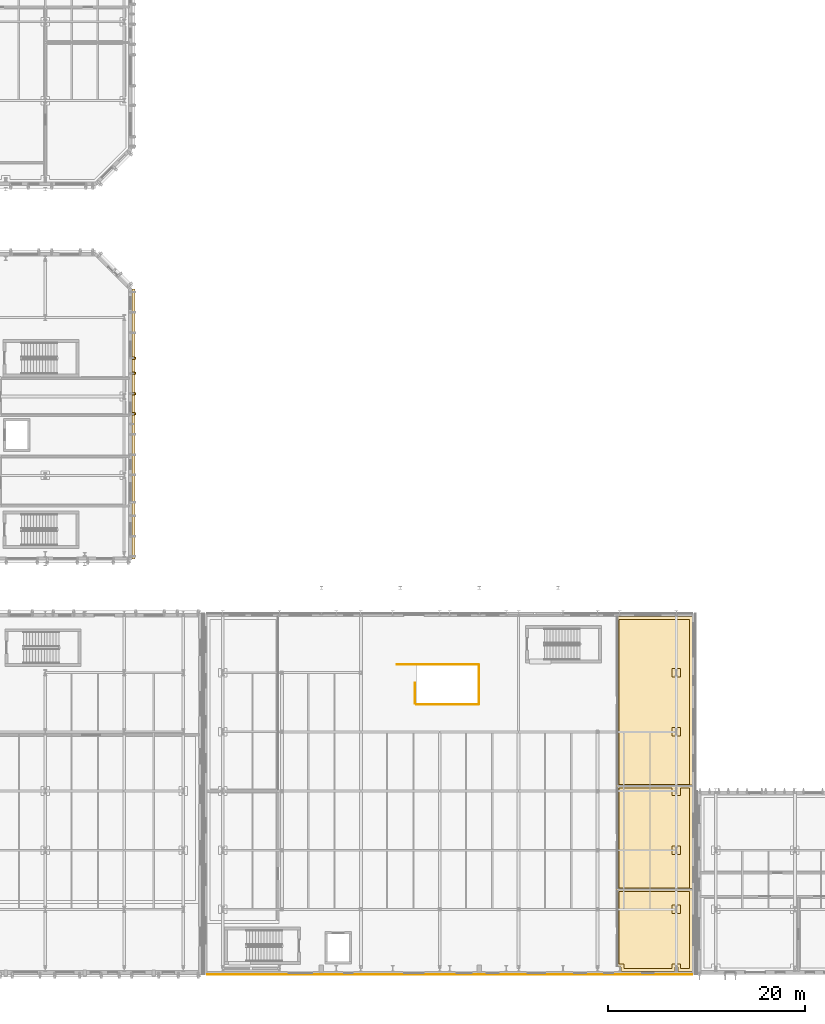
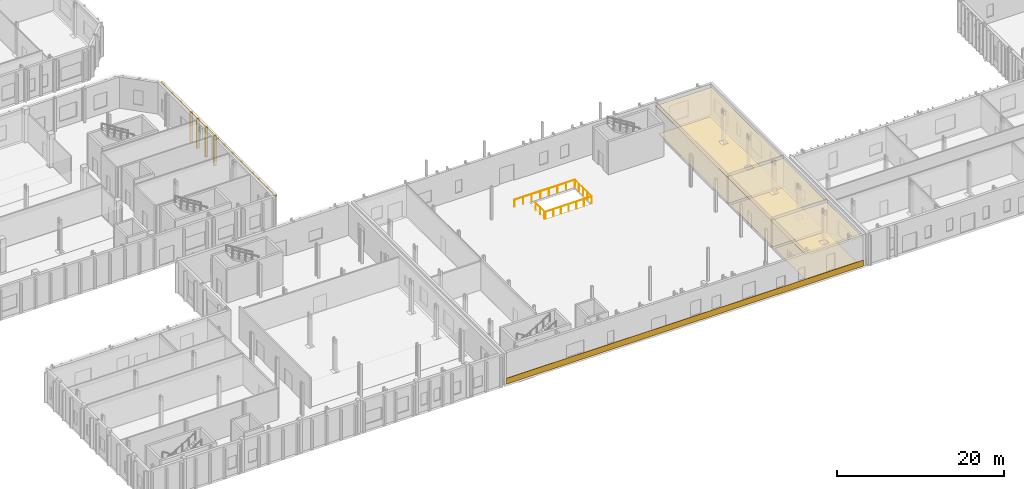
# One storey, part 49 of 60: 12 coverings, 4 railings.
"""IFC4 building model written with IfcOpenShell, lengths in metres."""

from ifc_helpers import new_model, si_unit, direction, frame, frame_2d, origin, origin_2d, place, context, subcontext, project, spatial, polyline, rectangle, circle, outline, extrude, material, layer, layer_set, type_object, element, save


model = new_model("IFC4")

# Units and contexts
model_context = context("Model", 3, precision=1e-05, world=origin(), true_north=direction((0.0, 1.0)))
body_context = subcontext(model_context, "Body", "Model", "MODEL_VIEW")
ifc_project = project(units=[si_unit("LENGTHUNIT", "METRE"), si_unit("AREAUNIT", "SQUARE_METRE"), si_unit("VOLUMEUNIT", "CUBIC_METRE"), si_unit("PLANEANGLEUNIT", "RADIAN"), si_unit("MASSUNIT", "GRAM", prefix="KILO")], contexts=[model_context])

# Site, building, storey
site_placement = place(None, origin())
site = spatial("IfcSite", under=ifc_project, at=site_placement, CompositionType="ELEMENT")
building_placement = place(site_placement, origin())
building = spatial("IfcBuilding", under=site, at=building_placement, Name="Cymarion Research Institute", CompositionType="ELEMENT")
storey_placement = place(building_placement, origin())
storey = spatial("IfcBuildingStorey", under=building, at=storey_placement, Name="L00", CompositionType="ELEMENT", Elevation=0.0)

# Coverings
ifc_material_1 = material(Name="Micro-perforated mineral acoustic ceiling tile", Category="gypsum")
ifc_layer_1 = layer(ifc_material_1, 0.030029296875)
ifc_layer_set_1 = layer_set([ifc_layer_1], Name="Micro-perforated mineral acoustic ceiling tile")
covering_type_1 = type_object("IfcCoveringType", Name="ACOUSTIC MICRO-PERFORATED SUSPENDED CEILING CLG-01", PredefinedType="CEILING", material=ifc_layer_set_1)
covering_1_placement = place(storey_placement, frame((0.0, 0.0, 4.0)))
element("IfcCovering", 1, at=covering_1_placement, inside=storey, type_object=covering_type_1, Name="L00 L00 Accessible WC and Public Washrooms acoustic ceiling", PredefinedType="CEILING", context=body_context, shape_type="SweptSolid", body=[
    extrude(outline(polyline([(102.735107421875, 5.635009765625), (102.465087890625, 5.635009765625), (102.465087890625, 5.18505859375), (96.985107421875, 5.18505859375), (96.985107421875, 5.635009765625), (96.485107421875, 5.635009765625), (96.485107421875, 13.614990234375), (104.215087890625, 13.614990234375), (104.215087890625, 5.18505859375), (102.735107421875, 5.18505859375), (102.735107421875, 5.635009765625)])), origin(), (0.0, 0.0, 1.0), 0.030029296875),
])
covering_2_placement = place(storey_placement, frame((0.0, 0.0, 4.0)))
element("IfcCovering", 2, at=covering_2_placement, inside=storey, type_object=covering_type_1, Name="L00 L00 Colloquium Breakout & Poster Room acoustic ceiling", PredefinedType="CEILING", context=body_context, shape_type="SweptSolid", body=[
    extrude(outline(polyline([(96.485107421875, 24.114990234375), (104.215087890625, 24.114990234375), (104.215087890625, 13.385009765625), (96.485107421875, 13.385009765625), (96.485107421875, 24.114990234375)])), origin(), (0.0, 0.0, 1.0), 0.030029296875),
])
covering_3_placement = place(storey_placement, frame((0.0, 0.0, 4.0)))
element("IfcCovering", 3, at=covering_3_placement, inside=storey, type_object=covering_type_1, Name="L00 L00 Scientific Periodicals & Write-Up Reading Room acoustic ceiling", PredefinedType="CEILING", context=body_context, shape_type="SweptSolid", body=[
    extrude(outline(polyline([(96.485107421875, 41.215087890625), (104.215087890625, 41.215087890625), (104.215087890625, 23.885009765625), (96.485107421875, 23.885009765625), (96.485107421875, 41.215087890625)])), origin(), (0.0, 0.0, 1.0), 0.030029296875),
])

# Railings
ifc_material_2 = material(Name="Steel S355", Category="steel")
railing_type = type_object("IfcRailingType", Name="PAINTED STEEL STAIR GUARDRAIL GR1 1100MM", PredefinedType="GUARDRAIL", material=ifc_material_2)
railing_1_placement = place(storey_placement, frame((76.10009765625, 32.35009765625, 0.0)))
element("IfcRailing", 4, at=railing_1_placement, inside=storey, type_object=railing_type, Name="L00 ST11 top well guard 1", PredefinedType="GUARDRAIL", context=body_context, shape_type="SweptSolid", body=[
    extrude(circle(Radius=0.02392578125, at=origin_2d()), frame((0.0, 0.0, 1.076171875), z_axis=(0.0, 1.0, 0.0), x_axis=(-1.0, 0.0, 0.0)), (0.0, 0.0, 1.0), 2.099853515625),
    extrude(circle(Radius=0.02099609375, at=origin_2d()), origin(), (0.0, 0.0, 1.0), 1.052001953125),
    extrude(circle(Radius=0.02099609375, at=origin_2d()), frame((0.0, 1.0498046875, 0.0)), (0.0, 0.0, 1.0), 1.052001953125),
    extrude(circle(Radius=0.02099609375, at=origin_2d()), frame((0.0, 2.099853515625, 0.0)), (0.0, 0.0, 1.0), 1.052001953125),
])
railing_2_placement = place(storey_placement, frame((76.22998046875, 32.2900390625, 0.0)))
element("IfcRailing", 5, at=railing_2_placement, inside=storey, type_object=railing_type, Name="L00 Concourse Stair ST11 perimeter well guard 1", PredefinedType="GUARDRAIL", context=body_context, shape_type="SweptSolid", body=[
    extrude(circle(Radius=0.02392578125, at=origin_2d()), frame((0.0, 0.0, 1.076171875), z_axis=(1.0, 0.0, 0.0), x_axis=(0.0, 1.0, 0.0)), (0.0, 0.0, 1.0), 6.330078125),
    extrude(circle(Radius=0.02099609375, at=origin_2d()), origin(), (0.0, 0.0, 1.0), 1.052001953125),
    extrude(circle(Radius=0.02099609375, at=origin_2d()), frame((1.054931640625, 0.0, 0.0)), (0.0, 0.0, 1.0), 1.052001953125),
    extrude(circle(Radius=0.02099609375, at=origin_2d()), frame((2.110107421875, 0.0, 0.0)), (0.0, 0.0, 1.0), 1.052001953125),
    extrude(circle(Radius=0.02099609375, at=origin_2d()), frame((3.1650390625, 0.0, 0.0)), (0.0, 0.0, 1.0), 1.052001953125),
    extrude(circle(Radius=0.02099609375, at=origin_2d()), frame((4.219970703125, 0.0, 0.0)), (0.0, 0.0, 1.0), 1.052001953125),
    extrude(circle(Radius=0.02099609375, at=origin_2d()), frame((5.275146484375, 0.0, 0.0)), (0.0, 0.0, 1.0), 1.052001953125),
    extrude(circle(Radius=0.02099609375, at=origin_2d()), frame((6.330078125, 0.0, 0.0)), (0.0, 0.0, 1.0), 1.052001953125),
])
railing_3_placement = place(storey_placement, frame((82.56005859375, 32.2900390625, 0.0)))
element("IfcRailing", 6, at=railing_3_placement, inside=storey, type_object=railing_type, Name="L00 Concourse Stair ST11 perimeter well guard 2", PredefinedType="GUARDRAIL", context=body_context, shape_type="SweptSolid", body=[
    extrude(circle(Radius=0.02392578125, at=origin_2d()), frame((0.0, 0.0, 1.076171875), z_axis=(0.0, 1.0, 0.0), x_axis=(-1.0, 0.0, 0.0)), (0.0, 0.0, 1.0), 4.02001953125),
    extrude(circle(Radius=0.02099609375, at=origin_2d()), origin(), (0.0, 0.0, 1.0), 1.052001953125),
    extrude(circle(Radius=0.02099609375, at=origin_2d()), frame((0.0, 1.0048828125, 0.0)), (0.0, 0.0, 1.0), 1.052001953125),
    extrude(circle(Radius=0.02099609375, at=origin_2d()), frame((0.0, 2.010009765625, 0.0)), (0.0, 0.0, 1.0), 1.052001953125),
    extrude(circle(Radius=0.02099609375, at=origin_2d()), frame((0.0, 3.01513671875, 0.0)), (0.0, 0.0, 1.0), 1.052001953125),
    extrude(circle(Radius=0.02099609375, at=origin_2d()), frame((0.0, 4.02001953125, 0.0)), (0.0, 0.0, 1.0), 1.052001953125),
])
railing_4_placement = place(storey_placement, frame((82.56005859375, 36.31005859375, 0.0)))
element("IfcRailing", 7, at=railing_4_placement, inside=storey, type_object=railing_type, Name="L00 Concourse Stair ST11 perimeter well guard 3", PredefinedType="GUARDRAIL", context=body_context, shape_type="SweptSolid", body=[
    extrude(circle(Radius=0.02392578125, at=origin_2d()), frame((0.0, 0.0, 1.076171875), z_axis=(-1.0, 0.0, 0.0), x_axis=(0.0, -1.0, 0.0)), (0.0, 0.0, 1.0), 8.31005859375),
    extrude(circle(Radius=0.02099609375, at=origin_2d()), origin(), (0.0, 0.0, 1.0), 1.052001953125),
    extrude(circle(Radius=0.02099609375, at=origin_2d()), frame((-1.187255859375, 0.0, 0.0)), (0.0, 0.0, 1.0), 1.052001953125),
    extrude(circle(Radius=0.02099609375, at=origin_2d()), frame((-2.374267578125, 0.0, 0.0)), (0.0, 0.0, 1.0), 1.052001953125),
    extrude(circle(Radius=0.02099609375, at=origin_2d()), frame((-3.5615234375, 0.0, 0.0)), (0.0, 0.0, 1.0), 1.052001953125),
    extrude(circle(Radius=0.02099609375, at=origin_2d()), frame((-4.74853515625, 0.0, 0.0)), (0.0, 0.0, 1.0), 1.052001953125),
    extrude(circle(Radius=0.02099609375, at=origin_2d()), frame((-5.935791015625, 0.0, 0.0)), (0.0, 0.0, 1.0), 1.052001953125),
    extrude(circle(Radius=0.02099609375, at=origin_2d()), frame((-7.122802734375, 0.0, 0.0)), (0.0, 0.0, 1.0), 1.052001953125),
    extrude(circle(Radius=0.02099609375, at=origin_2d()), frame((-8.31005859375, 0.0, 0.0)), (0.0, 0.0, 1.0), 1.052001953125),
])

# Coverings
ifc_material_3 = material(Name="Precast concrete C45/55 architectural white", Category="concrete")
ifc_layer_2 = layer(ifc_material_3, 0.260009765625)
ifc_layer_set_2 = layer_set([ifc_layer_2], Name="Precast concrete C45/55 architectural white")
covering_type_2 = type_object("IfcCoveringType", Name="SCULPTURAL WHITE PRECAST CONCRETE SPANDREL BROW BAND RIB2 280MM", PredefinedType="CLADDING", material=ifc_layer_set_2)
covering_4_placement = place(storey_placement, frame((47.5419921875, 60.699951171875, 4.39013671875), z_axis=(0.0, 0.0, 1.0), x_axis=(1.0, 0.0, 0.0)))
element("IfcCovering", 8, at=covering_4_placement, inside=storey, type_object=covering_type_2, Name="L00 V4 precast spandrel brow band RIB2 #92", PredefinedType="CLADDING", context=body_context, shape_type="SweptSolid", body=[
    extrude(rectangle(XDim=0.280029296875, YDim=27.360107421875, at=origin_2d()), origin(), (0.0, 0.0, 1.0), 0.260009765625),
])
ifc_layer_3 = layer(ifc_material_3, 0.199951171875)
ifc_layer_set_3 = layer_set([ifc_layer_3], Name="Precast concrete C45/55 architectural white")
covering_type_3 = type_object("IfcCoveringType", Name="SCULPTURAL WHITE PRECAST CONCRETE VERTICAL RIB RIB1 380X200", PredefinedType="CLADDING", material=ifc_layer_set_3)
for number, where, z_axis, x_axis, name in (
    (9, (47.592041015625, 61.730712890625, 0.010009765625), (0.0, 0.0, 1.0), (1.0, 0.0, 0.0), "L00 V4 sculptural precast vertical rib RIB1 #100"),
    (10, (47.592041015625, 63.792236328125, 0.010009765625), (0.0, 0.0, 1.0), (1.0, 0.0, 0.0), "L00 V4 sculptural precast vertical rib RIB1 #101"),
    (11, (47.592041015625, 65.853759765625, 0.010009765625), (0.0, 0.0, 1.0), (1.0, 0.0, 0.0), "L00 V4 sculptural precast vertical rib RIB1 #102"),
    (12, (47.592041015625, 67.405029296875, 0.010009765625), (0.0, 0.0, 1.0), (1.0, 0.0, 0.0), "L00 V4 sculptural precast vertical rib RIB1 #103"),
):
    element("IfcCovering", number, at=place(storey_placement, frame(where, z_axis=z_axis, x_axis=x_axis)), inside=storey, type_object=covering_type_3, Name=name, PredefinedType="CLADDING", context=body_context, shape_type="SweptSolid", body=[
        extrude(rectangle(XDim=0.3798828125, YDim=0.199951171875, at=origin_2d()), origin(), (0.0, 0.0, 1.0), 4.375),
    ])
ifc_material_4 = material(Name="Seamless dissipative epoxy resin flooring", Category="resin")
ifc_layer_4 = layer(ifc_material_4, 0.02001953125)
ifc_layer_set_4 = layer_set([ifc_layer_4], Name="Seamless dissipative epoxy resin flooring")
covering_type_4 = type_object("IfcCoveringType", Name="SEAMLESS ESD EPOXY LABORATORY FLOORING FLR-01", PredefinedType="FLOORING", material=ifc_layer_set_4)
covering_5_placement = place(storey_placement, origin())
element("IfcCovering", 13, at=covering_5_placement, inside=storey, type_object=covering_type_4, Name="L00 L00 Accessible WC and Public Washrooms ESD epoxy flooring", PredefinedType="FLOORING", context=body_context, shape_type="SweptSolid", body=[
    extrude(outline(polyline([(103.034912109375, 5.485107421875), (103.034912109375, 5.93505859375), (102.1650390625, 5.93505859375), (102.1650390625, 5.485107421875), (97.284912109375, 5.485107421875), (97.284912109375, 5.93505859375), (96.784912109375, 5.93505859375), (96.784912109375, 13.31494140625), (103.9150390625, 13.31494140625), (103.9150390625, 5.485107421875), (103.034912109375, 5.485107421875)]), holes=[polyline([(103.034912109375, 11.93505859375), (102.1650390625, 11.93505859375), (102.1650390625, 11.06494140625), (103.034912109375, 11.06494140625), (103.034912109375, 11.93505859375)])]), origin(), (0.0, 0.0, 1.0), 0.02001953125),
])
covering_6_placement = place(storey_placement, origin())
element("IfcCovering", 14, at=covering_6_placement, inside=storey, type_object=covering_type_4, Name="L00 L00 Colloquium Breakout & Poster Room ESD epoxy flooring", PredefinedType="FLOORING", context=body_context, shape_type="SweptSolid", body=[
    extrude(outline(polyline([(96.784912109375, 13.68505859375), (96.784912109375, 23.81494140625), (102.1650390625, 23.81494140625), (102.1650390625, 23.06494140625), (103.034912109375, 23.06494140625), (103.034912109375, 23.81494140625), (103.9150390625, 23.81494140625), (103.9150390625, 13.68505859375), (96.784912109375, 13.68505859375)]), holes=[polyline([(103.034912109375, 17.93505859375), (102.1650390625, 17.93505859375), (102.1650390625, 17.06494140625), (103.034912109375, 17.06494140625), (103.034912109375, 17.93505859375)])]), origin(), (0.0, 0.0, 1.0), 0.02001953125),
])
covering_7_placement = place(storey_placement, origin())
element("IfcCovering", 15, at=covering_7_placement, inside=storey, type_object=covering_type_4, Name="L00 L00 Scientific Periodicals & Write-Up Reading Room ESD epoxy flooring", PredefinedType="FLOORING", context=body_context, shape_type="SweptSolid", body=[
    extrude(outline(polyline([(96.784912109375, 24.18505859375), (96.784912109375, 40.9150390625), (103.9150390625, 40.9150390625), (103.9150390625, 24.18505859375), (96.784912109375, 24.18505859375)]), holes=[polyline([(103.034912109375, 29.93505859375), (102.1650390625, 29.93505859375), (102.1650390625, 29.06494140625), (103.034912109375, 29.06494140625), (103.034912109375, 29.93505859375)]), polyline([(103.034912109375, 35.93505859375), (102.1650390625, 35.93505859375), (102.1650390625, 35.06494140625), (103.034912109375, 35.06494140625), (103.034912109375, 35.93505859375)])]), origin(), (0.0, 0.0, 1.0), 0.02001953125),
])
ifc_material_5 = material(Name="Campanian volcanic piperno stone rainscreen", Category="masonry")
ifc_layer_5 = layer(ifc_material_5, 0.050048828125)
ifc_layer_set_5 = layer_set([ifc_layer_5], Name="Campanian volcanic piperno stone rainscreen")
covering_type_5 = type_object("IfcCoveringType", Name="VENTILATED TUFF STONE SPANDREL CLADDING COV-CL01", PredefinedType="CLADDING", material=ifc_layer_set_5)
covering_8_placement = place(storey_placement, frame((55.001953125, 4.875, 0.0), z_axis=(0.0, 0.0, 1.0), x_axis=(1.0, 0.0, 0.0)))
element("IfcCovering", 16, at=covering_8_placement, inside=storey, type_object=covering_type_5, Name="L00 V2 volcanic piperno stone spandrel cladding #2", PredefinedType="CLADDING", context=body_context, shape_type="SweptSolid", body=[
    extrude(rectangle(XDim=49.196044921875, YDim=0.050048828125, at=frame_2d((24.59814453125, 0.0))), origin(), (0.0, 0.0, 1.0), 0.860107421875),
])

save(model, "model.ifc")
